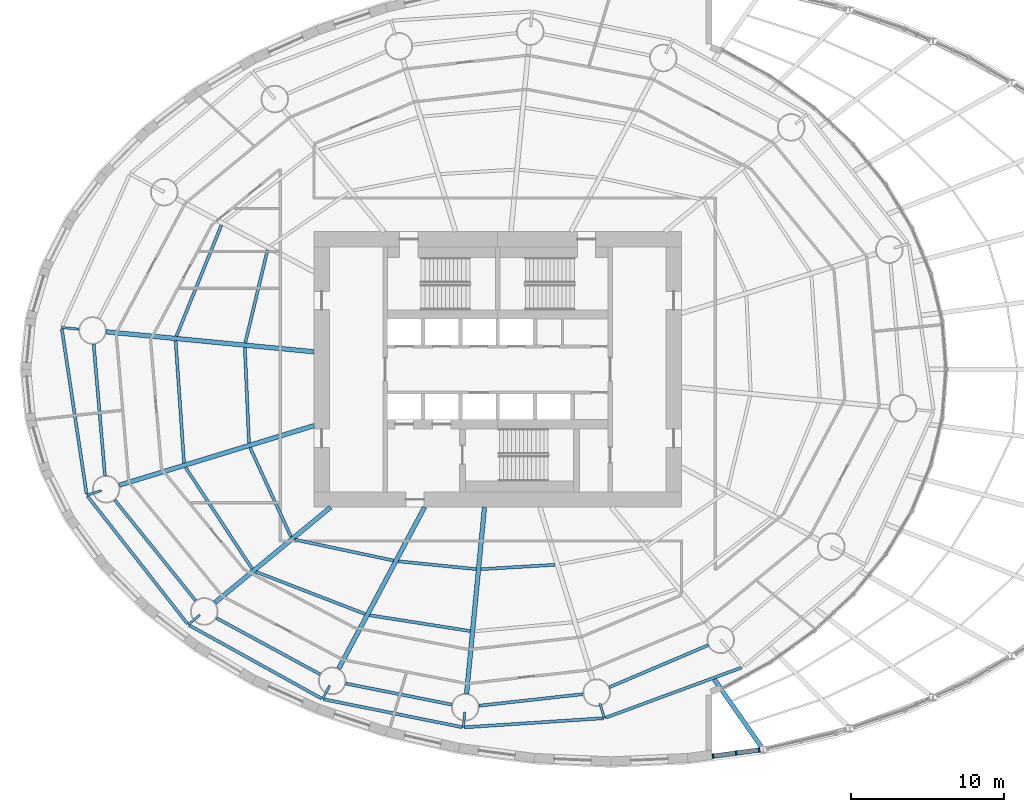
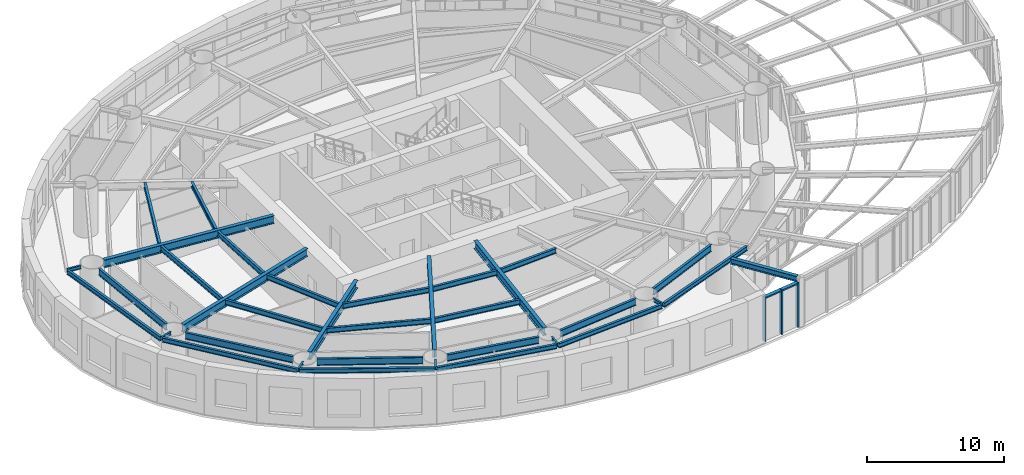
# One storey, part 4 of 23: 35 beams, 5 members, 1 element without a shape of its own.
"""IFC4 building model written with IfcOpenShell, lengths in metres."""

from ifc_helpers import new_model, si_unit, direction, frame, origin, origin_2d, place, context, subcontext, project, spatial, rectangle, i_section, extrude, material, material_profile, profile_set, type_object, element, aggregate, save


model = new_model("IFC4")

# Units and contexts
model_context = context("Model", 3, precision=1e-05, world=origin(), true_north=direction((0.0, 1.0)))
body_context = subcontext(model_context, "Body", "Model", "MODEL_VIEW")
ifc_project = project(units=[si_unit("LENGTHUNIT", "METRE"), si_unit("AREAUNIT", "SQUARE_METRE"), si_unit("VOLUMEUNIT", "CUBIC_METRE"), si_unit("PLANEANGLEUNIT", "RADIAN"), si_unit("MASSUNIT", "GRAM", prefix="KILO")], contexts=[model_context])

# Site, building, storey
site_placement = place(None, origin())
site = spatial("IfcSite", under=ifc_project, at=site_placement, CompositionType="ELEMENT")
building_placement = place(site_placement, origin())
building = spatial("IfcBuilding", under=site, at=building_placement, Name="Vermilion Reach Broadcast Tower", CompositionType="ELEMENT")
storey_placement = place(building_placement, frame((0.0, 0.0, 31.5)))
storey = spatial("IfcBuildingStorey", under=building, at=storey_placement, Name="L04", CompositionType="ELEMENT", Elevation=31.5)

# Curtain wall, members
ifc_material_1 = material(Name="Low-e laminated clear glass in aluminium frame", Category="aluminium")
curtain_wall_type = type_object("IfcCurtainWallType", Name="Atrium outer wall curtain wall", PredefinedType="NOTDEFINED", material=ifc_material_1)
curtain_wall_placement = place(storey_placement, origin())
curtain_wall = element("IfcCurtainWall", 1, at=curtain_wall_placement, inside=storey, type_object=curtain_wall_type, Name="Atrium wall L04 01", PredefinedType="NOTDEFINED")
ifc_material_2 = material(Name="Anodised aluminium", Category="aluminium")
ifc_material_profile_1 = material_profile(ifc_material_2, rectangle(XDim=0.300048828125, YDim=0.10009765625, at=origin_2d()), Name="Atrium outer wall mullion 100 x 300")
ifc_profile_set_1 = profile_set([ifc_material_profile_1], Name="Anodised aluminium")
member_type_1 = type_object("IfcMemberType", Name="Atrium outer wall mullion 100 x 300", PredefinedType="MULLION", material=ifc_profile_set_1)
member_1_placement = place(storey_placement, frame((8.062744140625, -25.257568359375, 0.0), z_axis=(0.0, 0.0, 1.0), x_axis=(-0.132793713723, 0.991143697753, 0.0)))
member_1 = element("IfcMember", 2, at=member_1_placement, type_object=member_type_1, Name="Atrium wall mullion L04 01.1", PredefinedType="MULLION", context=body_context, shape_type="SweptSolid", body=[
    extrude(rectangle(XDim=0.300048828125, YDim=0.10009765625, at=origin_2d()), origin(), (0.0, 0.0, 1.0), 3.9599609375),
])
member_2_placement = place(storey_placement, frame((9.569091796875, -25.055908203125, 0.0), z_axis=(0.0, 0.0, 1.0), x_axis=(-0.132793713723, 0.991143697753, 0.0)))
member_2 = element("IfcMember", 3, at=member_2_placement, type_object=member_type_1, Name="Atrium wall mullion L04 01.2", PredefinedType="MULLION", context=body_context, shape_type="SweptSolid", body=[
    extrude(rectangle(XDim=0.300048828125, YDim=0.10009765625, at=origin_2d()), origin(), (0.0, 0.0, 1.0), 3.9599609375),
])
member_3_placement = place(storey_placement, frame((11.075439453125, -24.85400390625, 0.0), z_axis=(0.0, 0.0, 1.0), x_axis=(-0.132793713723, 0.991143697753, 0.0)))
member_3 = element("IfcMember", 4, at=member_3_placement, type_object=member_type_1, Name="Atrium wall mullion L04 01.3", PredefinedType="MULLION", context=body_context, shape_type="SweptSolid", body=[
    extrude(rectangle(XDim=0.300048828125, YDim=0.10009765625, at=origin_2d()), origin(), (0.0, 0.0, 1.0), 3.9599609375),
])
ifc_material_3 = material(Name="Anodised aluminium", Category="aluminium")
ifc_material_profile_2 = material_profile(ifc_material_3, rectangle(XDim=0.300048828125, YDim=0.1201171875, at=origin_2d()), Name="Atrium outer wall transom 300 x 120")
ifc_profile_set_2 = profile_set([ifc_material_profile_2], Name="Anodised aluminium")
member_type_2 = type_object("IfcMemberType", Name="Atrium outer wall transom 300 x 120", PredefinedType="USERDEFINED", material=ifc_profile_set_2)
member_4_placement = place(storey_placement, frame((8.1123046875, -25.2509765625, 3.89990234375), z_axis=(0.991149634463, 0.132749395872, 0.0), x_axis=(-0.132749395872, 0.991149634463, 0.0)))
member_4 = element("IfcMember", 5, at=member_4_placement, type_object=member_type_2, Name="Atrium wall transom L04 01.1.2", ObjectType="TRANSOM", PredefinedType="USERDEFINED", context=body_context, shape_type="SweptSolid", body=[
    extrude(rectangle(XDim=0.300048828125, YDim=0.1201171875, at=origin_2d()), origin(), (0.0, 0.0, 1.0), 1.419677734375),
])
member_5_placement = place(storey_placement, frame((9.61865234375, -25.049072265625, 3.89990234375), z_axis=(0.991149634463, 0.132749395872, 0.0), x_axis=(-0.132749395872, 0.991149634463, 0.0)))
member_5 = element("IfcMember", 6, at=member_5_placement, type_object=member_type_2, Name="Atrium wall transom L04 01.2.2", ObjectType="TRANSOM", PredefinedType="USERDEFINED", context=body_context, shape_type="SweptSolid", body=[
    extrude(rectangle(XDim=0.300048828125, YDim=0.1201171875, at=origin_2d()), origin(), (0.0, 0.0, 1.0), 1.419677734375),
])
aggregate(curtain_wall, [member_1, member_2, member_3, member_4, member_5])

# Beams
ifc_material_4 = material(Name="Steel S355J2", Category="steel")
ifc_material_profile_3 = material_profile(ifc_material_4, i_section(OverallWidth=0.199951171875, OverallDepth=0.39990234375, WebThickness=0.008056640625, FlangeThickness=0.012939453125, at=origin_2d()), Name="S355J2 HN 400x200x8x13")
ifc_profile_set_3 = profile_set([ifc_material_profile_3], Name="Steel S355J2")
beam_type_1 = type_object("IfcBeamType", Name="EB1 HN 400x200x8x13", PredefinedType="BEAM", material=ifc_profile_set_3)
beam_1_placement = place(storey_placement, frame((-34.469482421875, 2.660888671875, 4.14990234375), z_axis=(0.148264998738, -0.988947668054, 0.0), x_axis=(0.988947668054, 0.148264998738, 0.0)))
element("IfcBeam", 7, at=beam_1_placement, inside=storey, type_object=beam_type_1, Name="Edge beam EB1-08", PredefinedType="BEAM", context=body_context, shape_type="SweptSolid", body=[
    extrude(i_section(OverallWidth=0.199951171875, OverallDepth=0.39990234375, WebThickness=0.008056640625, FlangeThickness=0.012939453125, at=origin_2d()), origin(), (0.0, 0.0, 1.0), 10.917236328125),
])
beam_2_placement = place(storey_placement, frame((-32.7900390625, -8.274169921875, 4.14990234375), z_axis=(0.616413320997, -0.787422769354, 0.0), x_axis=(0.787422769354, 0.616413320997, 0.0)))
element("IfcBeam", 8, at=beam_2_placement, inside=storey, type_object=beam_type_1, Name="Edge beam EB1-09", PredefinedType="BEAM", context=body_context, shape_type="SweptSolid", body=[
    extrude(i_section(OverallWidth=0.199951171875, OverallDepth=0.39990234375, WebThickness=0.008056640625, FlangeThickness=0.012939453125, at=origin_2d()), origin(), (0.0, 0.0, 1.0), 10.5888671875),
])
beam_3_placement = place(storey_placement, frame((-26.14599609375, -16.710205078125, 4.14990234375), z_axis=(0.875010865837, -0.484103278926, 0.0), x_axis=(0.484103278926, 0.875010865837, 0.0)))
element("IfcBeam", 9, at=beam_3_placement, inside=storey, type_object=beam_type_1, Name="Edge beam EB1-10", PredefinedType="BEAM", context=body_context, shape_type="SweptSolid", body=[
    extrude(i_section(OverallWidth=0.199951171875, OverallDepth=0.39990234375, WebThickness=0.008056640625, FlangeThickness=0.012939453125, at=origin_2d()), origin(), (0.0, 0.0, 1.0), 9.87353515625),
])
beam_4_placement = place(storey_placement, frame((-17.3642578125, -21.541748046875, 4.14990234375), z_axis=(0.980285405334, -0.197586750796, 0.0), x_axis=(0.197586750796, 0.980285405334, 0.0)))
element("IfcBeam", 10, at=beam_4_placement, inside=storey, type_object=beam_type_1, Name="Edge beam EB1-11", PredefinedType="BEAM", context=body_context, shape_type="SweptSolid", body=[
    extrude(i_section(OverallWidth=0.199951171875, OverallDepth=0.39990234375, WebThickness=0.008056640625, FlangeThickness=0.012939453125, at=origin_2d()), origin(), (0.0, 0.0, 1.0), 9.22509765625),
])
beam_5_placement = place(storey_placement, frame((-8.171142578125, -23.374267578125, 4.14990234375), z_axis=(0.997849518042, 0.065546467061, 0.0), x_axis=(-0.065546467061, 0.997849518042, 0.0)))
element("IfcBeam", 11, at=beam_5_placement, inside=storey, type_object=beam_type_1, Name="Edge beam EB1-12", PredefinedType="BEAM", context=body_context, shape_type="SweptSolid", body=[
    extrude(i_section(OverallWidth=0.199951171875, OverallDepth=0.39990234375, WebThickness=0.008056640625, FlangeThickness=0.012939453125, at=origin_2d()), origin(), (0.0, 0.0, 1.0), 9.080810546875),
])
beam_6_placement = place(storey_placement, frame((1.03759765625, -22.748046875, 4.14990234375), z_axis=(0.938258173377, 0.345935832333, 0.0), x_axis=(-0.345935832333, 0.938258173377, 0.0)))
element("IfcBeam", 12, at=beam_6_placement, inside=storey, type_object=beam_type_1, Name="Edge beam EB1-13", PredefinedType="BEAM", context=body_context, shape_type="SweptSolid", body=[
    extrude(i_section(OverallWidth=0.199951171875, OverallDepth=0.39990234375, WebThickness=0.008056640625, FlangeThickness=0.012939453125, at=origin_2d()), origin(), (0.0, 0.0, 1.0), 9.473876953125),
])
ifc_material_5 = material(Name="Steel S355J2", Category="steel")
ifc_material_profile_4 = material_profile(ifc_material_5, i_section(OverallWidth=0.300048828125, OverallDepth=0.699951171875, WebThickness=0.012939453125, FlangeThickness=0.02392578125, at=origin_2d()), Name="S355J2 HN 700x300x13x24")
ifc_profile_set_4 = profile_set([ifc_material_profile_4], Name="Steel S355J2")
beam_type_2 = type_object("IfcBeamType", Name="G1 HN 700x300x13x24", PredefinedType="BEAM", material=ifc_profile_set_4)
beam_7_placement = place(storey_placement, frame((-18.0, 1.1533203125, 4.0), z_axis=(-0.995412178872, 0.095679643363, 0.0), x_axis=(-0.095679643363, -0.995412178872, 0.0)))
element("IfcBeam", 13, at=beam_7_placement, inside=storey, type_object=beam_type_2, Name="Girder G1-08", PredefinedType="BEAM", context=body_context, shape_type="SweptSolid", body=[
    extrude(i_section(OverallWidth=0.300048828125, OverallDepth=0.699951171875, WebThickness=0.012939453125, FlangeThickness=0.02392578125, at=origin_2d()), origin(), (0.0, 0.0, 1.0), 13.630859375),
])
beam_8_placement = place(storey_placement, frame((-18.0, -3.671142578125, 4.0), z_axis=(-0.956255735186, -0.292531996409, 0.0), x_axis=(0.292531996409, -0.956255735186, 0.0)))
element("IfcBeam", 14, at=beam_8_placement, inside=storey, type_object=beam_type_2, Name="Girder G1-09", PredefinedType="BEAM", context=body_context, shape_type="SweptSolid", body=[
    extrude(i_section(OverallWidth=0.300048828125, OverallDepth=0.699951171875, WebThickness=0.012939453125, FlangeThickness=0.02392578125, at=origin_2d()), origin(), (0.0, 0.0, 1.0), 13.29638671875),
])
beam_9_placement = place(storey_placement, frame((-16.9140625, -9.0, 4.0), z_axis=(-0.771514256373, -0.636212034005, 0.0), x_axis=(0.636212034005, -0.771514256373, 0.0)))
element("IfcBeam", 15, at=beam_9_placement, inside=storey, type_object=beam_type_2, Name="Girder G1-10", PredefinedType="BEAM", context=body_context, shape_type="SweptSolid", body=[
    extrude(i_section(OverallWidth=0.300048828125, OverallDepth=0.699951171875, WebThickness=0.012939453125, FlangeThickness=0.02392578125, at=origin_2d()), origin(), (0.0, 0.0, 1.0), 9.796142578125),
])
beam_10_placement = place(storey_placement, frame((-10.783447265625, -9.0, 4.0), z_axis=(-0.469312182262, -0.883032318537, 0.0), x_axis=(0.883032318537, -0.469312182262, 0.0)))
element("IfcBeam", 16, at=beam_10_placement, inside=storey, type_object=beam_type_2, Name="Girder G1-11", PredefinedType="BEAM", context=body_context, shape_type="SweptSolid", body=[
    extrude(i_section(OverallWidth=0.300048828125, OverallDepth=0.699951171875, WebThickness=0.012939453125, FlangeThickness=0.02392578125, at=origin_2d()), origin(), (0.0, 0.0, 1.0), 11.94091796875),
])
beam_11_placement = place(storey_placement, frame((-6.864990234375, -9.0, 4.0), z_axis=(-0.09566673912, -0.995413419151, 0.0), x_axis=(0.995413419151, -0.09566673912, 0.0)))
element("IfcBeam", 17, at=beam_11_placement, inside=storey, type_object=beam_type_2, Name="Girder G1-12", PredefinedType="BEAM", context=body_context, shape_type="SweptSolid", body=[
    extrude(i_section(OverallWidth=0.300048828125, OverallDepth=0.699951171875, WebThickness=0.012939453125, FlangeThickness=0.02392578125, at=origin_2d()), origin(), (0.0, 0.0, 1.0), 12.22412109375),
])
ifc_material_6 = material(Name="Steel S355J2", Category="steel")
ifc_material_profile_5 = material_profile(ifc_material_6, i_section(OverallWidth=0.14990234375, OverallDepth=0.300048828125, WebThickness=0.006591796875, FlangeThickness=0.009033203125, at=origin_2d()), Name="S355J2 HN 300x150x6.5x9")
ifc_profile_set_5 = profile_set([ifc_material_profile_5], Name="Steel S355J2")
beam_type_3 = type_object("IfcBeamType", Name="GS1 HN 300x150x6.5x9", PredefinedType="BEAM", material=ifc_profile_set_5)
beam_12_placement = place(storey_placement, frame((-33.360107421875, 2.629638671875, 4.199951171875), z_axis=(-0.995418161332, 0.095617383827, 0.0), x_axis=(-0.095617383827, -0.995418161332, 0.0)))
element("IfcBeam", 18, at=beam_12_placement, inside=storey, type_object=beam_type_3, Name="Cantilever stub GS1-08", PredefinedType="BEAM", context=body_context, shape_type="SweptSolid", body=[
    extrude(i_section(OverallWidth=0.14990234375, OverallDepth=0.300048828125, WebThickness=0.006591796875, FlangeThickness=0.009033203125, at=origin_2d()), origin(), (0.0, 0.0, 1.0), 1.1259765625),
])
beam_13_placement = place(storey_placement, frame((-31.883544921875, -7.918212890625, 4.199951171875), z_axis=(-0.956184611971, -0.29276438962, 0.0), x_axis=(0.29276438962, -0.956184611971, 0.0)))
element("IfcBeam", 19, at=beam_13_placement, inside=storey, type_object=beam_type_3, Name="Cantilever stub GS1-09", PredefinedType="BEAM", context=body_context, shape_type="SweptSolid", body=[
    extrude(i_section(OverallWidth=0.14990234375, OverallDepth=0.300048828125, WebThickness=0.006591796875, FlangeThickness=0.009033203125, at=origin_2d()), origin(), (0.0, 0.0, 1.0), 0.999755859375),
])
for number, where, z_axis, x_axis, name in (
    (20, (-25.445068359375, -16.034912109375, 4.199951171875), (-0.771493112118, -0.636237674108, 0.0), (0.636237674108, -0.771493112118, 0.0), "Cantilever stub GS1-10"),
    (21, (-16.9716796875, -20.643310546875, 4.199951171875), (-0.469244476458, -0.883068299348, 0.0), (0.883068299348, -0.469244476458, 0.0), "Cantilever stub GS1-11"),
):
    element("IfcBeam", number, at=place(storey_placement, frame(where, z_axis=z_axis, x_axis=x_axis)), inside=storey, type_object=beam_type_3, Name=name, PredefinedType="BEAM", context=body_context, shape_type="SweptSolid", body=[
        extrude(i_section(OverallWidth=0.14990234375, OverallDepth=0.300048828125, WebThickness=0.006591796875, FlangeThickness=0.009033203125, at=origin_2d()), origin(), (0.0, 0.0, 1.0), 1.0),
    ])
beam_14_placement = place(storey_placement, frame((-8.1513671875, -22.3837890625, 4.199951171875), z_axis=(-0.095684500029, -0.995411712034, 0.0), x_axis=(0.995411712034, -0.095684500029, 0.0)))
element("IfcBeam", 22, at=beam_14_placement, inside=storey, type_object=beam_type_3, Name="Cantilever stub GS1-12", PredefinedType="BEAM", context=body_context, shape_type="SweptSolid", body=[
    extrude(i_section(OverallWidth=0.14990234375, OverallDepth=0.300048828125, WebThickness=0.006591796875, FlangeThickness=0.009033203125, at=origin_2d()), origin(), (0.0, 0.0, 1.0), 1.000244140625),
])
beam_15_placement = place(storey_placement, frame((0.674560546875, -21.81787109375, 4.199951171875), z_axis=(0.292541120261, -0.956252944025, 0.0), x_axis=(0.956252944025, 0.292541120261, 0.0)))
element("IfcBeam", 23, at=beam_15_placement, inside=storey, type_object=beam_type_3, Name="Cantilever stub GS1-13", PredefinedType="BEAM", context=body_context, shape_type="SweptSolid", body=[
    extrude(i_section(OverallWidth=0.14990234375, OverallDepth=0.300048828125, WebThickness=0.006591796875, FlangeThickness=0.009033203125, at=origin_2d()), origin(), (0.0, 0.0, 1.0), 0.999755859375),
])
ifc_material_7 = material(Name="Steel S355J2", Category="steel")
ifc_material_profile_6 = material_profile(ifc_material_7, i_section(OverallWidth=0.199951171875, OverallDepth=0.60009765625, WebThickness=0.010986328125, FlangeThickness=0.01708984375, at=origin_2d()), Name="S355J2 HN 600x200x11x17")
ifc_profile_set_6 = profile_set([ifc_material_profile_6], Name="Steel S355J2")
beam_type_4 = type_object("IfcBeamType", Name="RB1 HN 600x200x11x17", PredefinedType="BEAM", material=ifc_profile_set_6)
beam_16_placement = place(storey_placement, frame((-32.38720703125, 1.646728515625, 4.050048828125), z_axis=(0.085395508608, -0.996347131832, 0.0), x_axis=(0.996347131832, 0.085395508608, 0.0)))
element("IfcBeam", 24, at=beam_16_placement, inside=storey, type_object=beam_type_4, Name="Ring beam RB1-08", PredefinedType="BEAM", context=body_context, shape_type="SweptSolid", body=[
    extrude(i_section(OverallWidth=0.199951171875, OverallDepth=0.60009765625, WebThickness=0.010986328125, FlangeThickness=0.01708984375, at=origin_2d()), origin(), (0.0, 0.0, 1.0), 8.60546875),
])
beam_17_placement = place(storey_placement, frame((-31.011962890625, -8.52587890625, 4.050048828125), z_axis=(0.626162157191, -0.779692858055, 0.0), x_axis=(0.779692858055, 0.626162157191, 0.0)))
element("IfcBeam", 25, at=beam_17_placement, inside=storey, type_object=beam_type_4, Name="Ring beam RB1-09", PredefinedType="BEAM", context=body_context, shape_type="SweptSolid", body=[
    extrude(i_section(OverallWidth=0.199951171875, OverallDepth=0.60009765625, WebThickness=0.010986328125, FlangeThickness=0.01708984375, at=origin_2d()), origin(), (0.0, 0.0, 1.0), 8.435791015625),
])
beam_18_placement = place(storey_placement, frame((-24.375244140625, -16.234130859375, 4.050048828125), z_axis=(0.878962319551, -0.476891225344, 0.0), x_axis=(0.476891225344, 0.878962319551, 0.0)))
element("IfcBeam", 26, at=beam_18_placement, inside=storey, type_object=beam_type_4, Name="Ring beam RB1-10", PredefinedType="BEAM", context=body_context, shape_type="SweptSolid", body=[
    extrude(i_section(OverallWidth=0.199951171875, OverallDepth=0.60009765625, WebThickness=0.010986328125, FlangeThickness=0.01708984375, at=origin_2d()), origin(), (0.0, 0.0, 1.0), 7.707275390625),
])
beam_19_placement = place(storey_placement, frame((-15.927001953125, -20.51416015625, 4.050048828125), z_axis=(0.980857717995, -0.194725799651, 0.0), x_axis=(0.194725799651, 0.980857717995, 0.0)))
element("IfcBeam", 27, at=beam_19_placement, inside=storey, type_object=beam_type_4, Name="Ring beam RB1-11", PredefinedType="BEAM", context=body_context, shape_type="SweptSolid", body=[
    extrude(i_section(OverallWidth=0.199951171875, OverallDepth=0.60009765625, WebThickness=0.010986328125, FlangeThickness=0.01708984375, at=origin_2d()), origin(), (0.0, 0.0, 1.0), 7.05859375),
])
beam_20_placement = place(storey_placement, frame((-7.22607421875, -21.964111328125, 4.050048828125), z_axis=(0.993851439324, 0.110721798009, 0.0), x_axis=(-0.110721798009, 0.993851439324, 0.0)))
element("IfcBeam", 28, at=beam_20_placement, inside=storey, type_object=beam_type_4, Name="Ring beam RB1-12", PredefinedType="BEAM", context=body_context, shape_type="SweptSolid", body=[
    extrude(i_section(OverallWidth=0.199951171875, OverallDepth=0.60009765625, WebThickness=0.010986328125, FlangeThickness=0.01708984375, at=origin_2d()), origin(), (0.0, 0.0, 1.0), 6.8310546875),
])
beam_21_placement = place(storey_placement, frame((1.28564453125, -20.755859375, 4.050048828125), z_axis=(0.920220846584, 0.391399531825, 0.0), x_axis=(-0.391399531825, 0.920220846584, 0.0)))
element("IfcBeam", 29, at=beam_21_placement, inside=storey, type_object=beam_type_4, Name="Ring beam RB1-13", PredefinedType="BEAM", context=body_context, shape_type="SweptSolid", body=[
    extrude(i_section(OverallWidth=0.199951171875, OverallDepth=0.60009765625, WebThickness=0.010986328125, FlangeThickness=0.01708984375, at=origin_2d()), origin(), (0.0, 0.0, 1.0), 7.008544921875),
])
ifc_material_8 = material(Name="Steel S355J2", Category="steel")
ifc_material_profile_7 = material_profile(ifc_material_8, i_section(OverallWidth=0.300048828125, OverallDepth=0.488037109375, WebThickness=0.010986328125, FlangeThickness=0.01806640625, at=origin_2d()), Name="S355J2 HM 488x300x11x18")
ifc_profile_set_7 = profile_set([ifc_material_profile_7], Name="Steel S355J2")
beam_type_5 = type_object("IfcBeamType", Name="RF1 HM 488x300x11x18", PredefinedType="BEAM", material=ifc_profile_set_7)
beam_22_placement = place(storey_placement, frame((8.140380859375, -20.24267578125, 4.10595703125), z_axis=(0.572682871376, -0.819776999453, 0.0), x_axis=(0.819776999453, 0.572682871376, 0.0)))
element("IfcBeam", 30, at=beam_22_placement, inside=storey, type_object=beam_type_5, Name="Atrium rafter RF1-01", PredefinedType="BEAM", context=body_context, shape_type="SweptSolid", body=[
    extrude(i_section(OverallWidth=0.300048828125, OverallDepth=0.488037109375, WebThickness=0.010986328125, FlangeThickness=0.01806640625, at=origin_2d()), origin(), (0.0, 0.0, 1.0), 5.362060546875),
])
ifc_material_9 = material(Name="Steel S355J2", Category="steel")
ifc_material_profile_8 = material_profile(ifc_material_9, i_section(OverallWidth=0.199951171875, OverallDepth=0.449951171875, WebThickness=0.009033203125, FlangeThickness=0.013916015625, at=origin_2d()), Name="S355J2 HN 450x200x9x14")
ifc_profile_set_8 = profile_set([ifc_material_profile_8], Name="Steel S355J2")
beam_type_6 = type_object("IfcBeamType", Name="SB1 HN 450x200x9x14", PredefinedType="BEAM", material=ifc_profile_set_8)
beam_23_placement = place(storey_placement, frame((-21.031005859375, 7.81884765625, 4.125), z_axis=(-0.232844467589, -0.972513986487, 0.0), x_axis=(0.972513986487, -0.232844467589, 0.0)))
element("IfcBeam", 31, at=beam_23_placement, inside=storey, type_object=beam_type_6, Name="Secondary beam SB1-07-1", PredefinedType="BEAM", context=body_context, shape_type="SweptSolid", body=[
    extrude(i_section(OverallWidth=0.199951171875, OverallDepth=0.449951171875, WebThickness=0.009033203125, FlangeThickness=0.013916015625, at=origin_2d()), origin(), (0.0, 0.0, 1.0), 6.25537109375),
])
beam_24_placement = place(storey_placement, frame((-24.046630859375, 9.421630859375, 4.125), z_axis=(-0.375640669938, -0.926765389453, 0.0), x_axis=(0.926765389453, -0.375640669938, 0.0)))
element("IfcBeam", 32, at=beam_24_placement, inside=storey, type_object=beam_type_6, Name="Secondary beam SB1-07-2", PredefinedType="BEAM", context=body_context, shape_type="SweptSolid", body=[
    extrude(i_section(OverallWidth=0.199951171875, OverallDepth=0.449951171875, WebThickness=0.009033203125, FlangeThickness=0.013916015625, at=origin_2d()), origin(), (0.0, 0.0, 1.0), 7.8271484375),
])
beam_25_placement = place(storey_placement, frame((-22.51611328125, 1.436767578125, 4.125), z_axis=(0.043361007512, -0.999059469215, 0.0), x_axis=(0.999059469215, 0.043361007512, 0.0)))
element("IfcBeam", 33, at=beam_25_placement, inside=storey, type_object=beam_type_6, Name="Secondary beam SB1-08-1", PredefinedType="BEAM", context=body_context, shape_type="SweptSolid", body=[
    extrude(i_section(OverallWidth=0.199951171875, OverallDepth=0.449951171875, WebThickness=0.009033203125, FlangeThickness=0.013916015625, at=origin_2d()), origin(), (0.0, 0.0, 1.0), 6.25537109375),
])
beam_26_placement = place(storey_placement, frame((-27.03515625, 1.87109375, 4.125), z_axis=(0.068507801475, -0.997650580683, 0.0), x_axis=(0.997650580683, 0.068507801475, 0.0)))
element("IfcBeam", 34, at=beam_26_placement, inside=storey, type_object=beam_type_6, Name="Secondary beam SB1-08-2", PredefinedType="BEAM", context=body_context, shape_type="SweptSolid", body=[
    extrude(i_section(OverallWidth=0.199951171875, OverallDepth=0.449951171875, WebThickness=0.009033203125, FlangeThickness=0.013916015625, at=origin_2d()), origin(), (0.0, 0.0, 1.0), 8.00048828125),
])
beam_27_placement = place(storey_placement, frame((-22.175048828125, -5.105224609375, 4.125), z_axis=(0.417211452529, -0.908809443106, 0.0), x_axis=(0.908809443106, 0.417211452529, 0.0)))
element("IfcBeam", 35, at=beam_27_placement, inside=storey, type_object=beam_type_6, Name="Secondary beam SB1-09-1", PredefinedType="BEAM", context=body_context, shape_type="SweptSolid", body=[
    extrude(i_section(OverallWidth=0.199951171875, OverallDepth=0.449951171875, WebThickness=0.009033203125, FlangeThickness=0.013916015625, at=origin_2d()), origin(), (0.0, 0.0, 1.0), 6.41650390625),
])
beam_28_placement = place(storey_placement, frame((-26.390625, -6.394775390625, 4.125), z_axis=(0.548800909102, -0.835953086105, 0.0), x_axis=(0.835953086105, 0.548800909102, 0.0)))
element("IfcBeam", 36, at=beam_28_placement, inside=storey, type_object=beam_type_6, Name="Secondary beam SB1-09-2", PredefinedType="BEAM", context=body_context, shape_type="SweptSolid", body=[
    extrude(i_section(OverallWidth=0.199951171875, OverallDepth=0.449951171875, WebThickness=0.009033203125, FlangeThickness=0.013916015625, at=origin_2d()), origin(), (0.0, 0.0, 1.0), 7.935791015625),
])
beam_29_placement = place(storey_placement, frame((-19.24560546875, -11.1171875, 4.125), z_axis=(0.978270372412, -0.207333254596, 0.0), x_axis=(0.207333254596, 0.978270372412, 0.0)))
element("IfcBeam", 37, at=beam_29_placement, inside=storey, type_object=beam_type_6, Name="Secondary beam SB1-10-1", PredefinedType="BEAM", context=body_context, shape_type="SweptSolid", body=[
    extrude(i_section(OverallWidth=0.199951171875, OverallDepth=0.449951171875, WebThickness=0.009033203125, FlangeThickness=0.013916015625, at=origin_2d()), origin(), (0.0, 0.0, 1.0), 6.584716796875),
])
beam_30_placement = place(storey_placement, frame((-21.7919921875, -13.217041015625, 4.125), z_axis=(0.932680743753, -0.360702966765, 0.0), x_axis=(0.360702966765, 0.932680743753, 0.0)))
element("IfcBeam", 38, at=beam_30_placement, inside=storey, type_object=beam_type_6, Name="Secondary beam SB1-10-2", PredefinedType="BEAM", context=body_context, shape_type="SweptSolid", body=[
    extrude(i_section(OverallWidth=0.199951171875, OverallDepth=0.449951171875, WebThickness=0.009033203125, FlangeThickness=0.013916015625, at=origin_2d()), origin(), (0.0, 0.0, 1.0), 7.646240234375),
])
beam_31_placement = place(storey_placement, frame((-12.490234375, -12.531005859375, 4.125), z_axis=(0.995010199331, -0.099773259079, 0.0), x_axis=(0.099773259079, 0.995010199331, 0.0)))
element("IfcBeam", 39, at=beam_31_placement, inside=storey, type_object=beam_type_6, Name="Secondary beam SB1-11-1", PredefinedType="BEAM", context=body_context, shape_type="SweptSolid", body=[
    extrude(i_section(OverallWidth=0.199951171875, OverallDepth=0.449951171875, WebThickness=0.009033203125, FlangeThickness=0.013916015625, at=origin_2d()), origin(), (0.0, 0.0, 1.0), 5.111572265625),
])
beam_32_placement = place(storey_placement, frame((-14.36279296875, -16.05419921875, 4.125), z_axis=(0.987829548379, -0.155540294938, 0.0), x_axis=(0.155540294938, 0.987829548379, 0.0)))
element("IfcBeam", 40, at=beam_32_placement, inside=storey, type_object=beam_type_6, Name="Secondary beam SB1-11-2", PredefinedType="BEAM", context=body_context, shape_type="SweptSolid", body=[
    extrude(i_section(OverallWidth=0.199951171875, OverallDepth=0.449951171875, WebThickness=0.009033203125, FlangeThickness=0.013916015625, at=origin_2d()), origin(), (0.0, 0.0, 1.0), 6.650634765625),
])
beam_33_placement = place(storey_placement, frame((-7.103271484375, -13.046875, 4.125), z_axis=(0.99823410974, 0.059402543307, 0.0), x_axis=(-0.059402543307, 0.99823410974, 0.0)))
element("IfcBeam", 41, at=beam_33_placement, inside=storey, type_object=beam_type_6, Name="Secondary beam SB1-12-1", PredefinedType="BEAM", context=body_context, shape_type="SweptSolid", body=[
    extrude(i_section(OverallWidth=0.199951171875, OverallDepth=0.449951171875, WebThickness=0.009033203125, FlangeThickness=0.013916015625, at=origin_2d()), origin(), (0.0, 0.0, 1.0), 4.85791015625),
])

save(model, "model.ifc")
